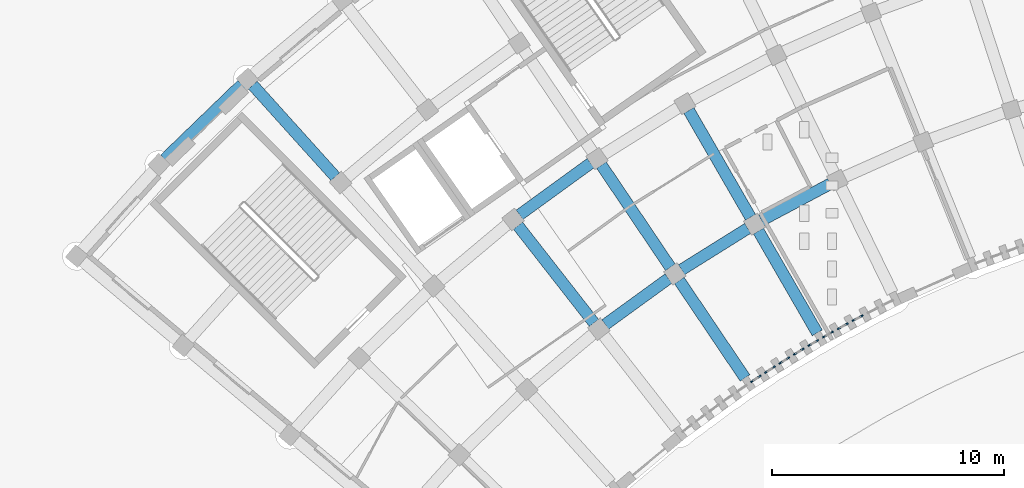
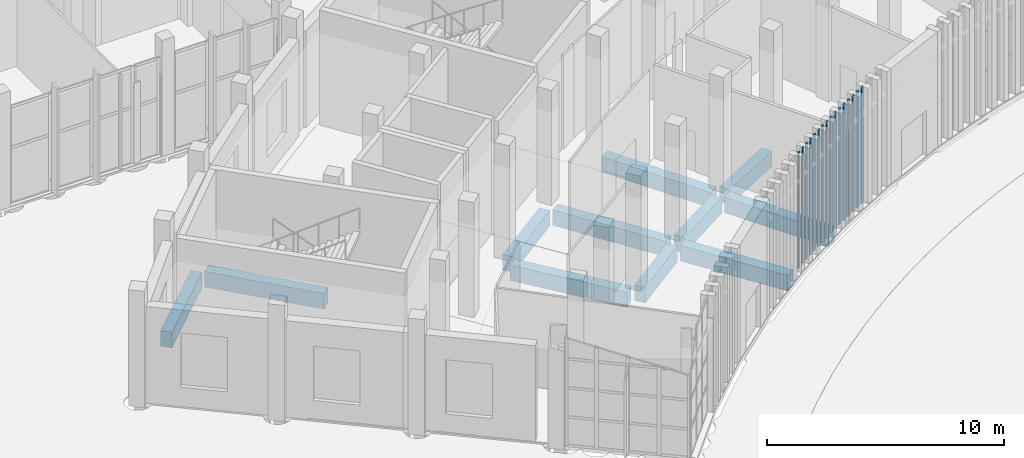
# One storey, part 25 of 155: 16 members, 11 beams, 8 elements without a shape of their own.
"""IFC4 building model written with IfcOpenShell, lengths in metres."""

from ifc_helpers import new_model, si_unit, direction, frame, origin, origin_2d, place, context, subcontext, project, spatial, rectangle, extrude, material, layer, layer_set, material_profile, profile_set, type_object, element, aggregate, save


model = new_model("IFC4")

# Units and contexts
model_context = context("Model", 3, precision=1e-05, world=origin(), true_north=direction((0.0, 1.0)))
body_context = subcontext(model_context, "Body", "Model", "MODEL_VIEW")
ifc_project = project(units=[si_unit("LENGTHUNIT", "METRE"), si_unit("AREAUNIT", "SQUARE_METRE"), si_unit("VOLUMEUNIT", "CUBIC_METRE"), si_unit("PLANEANGLEUNIT", "RADIAN"), si_unit("MASSUNIT", "GRAM", prefix="KILO")], contexts=[model_context])

# Site, building, storey
site_placement = place(None, origin())
site = spatial("IfcSite", under=ifc_project, at=site_placement, CompositionType="ELEMENT")
building_placement = place(site_placement, origin())
building = spatial("IfcBuilding", under=site, at=building_placement, Name="Lunette Opera House", CompositionType="ELEMENT")
storey_placement = place(building_placement, origin())
storey = spatial("IfcBuildingStorey", under=building, at=storey_placement, Name="L00", CompositionType="ELEMENT", Elevation=0.0)

# Curtain wall, members
ifc_material_1 = material(Name="Aluminium", Category="aluminium")
ifc_layer = layer(ifc_material_1, 0.1201171875)
ifc_layer_set = layer_set([ifc_layer], Name="Aluminium")
curtain_wall_type = type_object("IfcCurtainWallType", Name="SLOT CURTAIN WALL", PredefinedType="NOTDEFINED", material=ifc_layer_set)
curtain_wall_1_placement = place(storey_placement, origin())
curtain_wall_1 = element("IfcCurtainWall", 1, at=curtain_wall_1_placement, inside=storey, type_object=curtain_wall_type, Name="Slot Curtain Wall CS011 L00", PredefinedType="NOTDEFINED")
ifc_material_2 = material(Name="Aluminium", Category="aluminium")
ifc_material_profile_1 = material_profile(ifc_material_2, rectangle(XDim=0.06005859375, YDim=0.159912109375, at=origin_2d()), Name="MULLION 60 X 160")
ifc_profile_set_1 = profile_set([ifc_material_profile_1], Name="Aluminium")
member_type = type_object("IfcMemberType", Name="MULLION 60 X 160", PredefinedType="MULLION", material=ifc_profile_set_1)
member_1_placement = place(storey_placement, frame((66.904052734375, 43.45849609375, 0.0), z_axis=(0.0, 0.0, 1.0), x_axis=(-0.553626122068, 0.832765343277, 0.0)))
member_1 = element("IfcMember", 2, at=member_1_placement, type_object=member_type, Name="FC-X2021 mullion 1", PredefinedType="MULLION", context=body_context, shape_type="SweptSolid", body=[
    extrude(rectangle(XDim=0.06005859375, YDim=0.159912109375, at=origin_2d()), origin(), (0.0, 0.0, 1.0), 6.0),
])
member_2_placement = place(storey_placement, frame((67.2119140625, 43.663330078125, 0.0), z_axis=(0.0, 0.0, 1.0), x_axis=(-0.553626122068, 0.832765343277, 0.0)))
member_2 = element("IfcMember", 3, at=member_2_placement, type_object=member_type, Name="FC-X2021 mullion 2", PredefinedType="MULLION", context=body_context, shape_type="SweptSolid", body=[
    extrude(rectangle(XDim=0.06005859375, YDim=0.159912109375, at=origin_2d()), origin(), (0.0, 0.0, 1.0), 6.0),
])
aggregate(curtain_wall_1, [member_1, member_2])

curtain_wall_2_placement = place(storey_placement, origin())
curtain_wall_2 = element("IfcCurtainWall", 4, at=curtain_wall_2_placement, inside=storey, type_object=curtain_wall_type, Name="Slot Curtain Wall CS012 L00", PredefinedType="NOTDEFINED")
member_3_placement = place(storey_placement, frame((67.51318359375, 43.861328125, 0.0), z_axis=(0.0, 0.0, 1.0), x_axis=(-0.541227111143, 0.840876455946, 0.0)))
member_3 = element("IfcMember", 5, at=member_3_placement, type_object=member_type, Name="FC-X2023 mullion 1", PredefinedType="MULLION", context=body_context, shape_type="SweptSolid", body=[
    extrude(rectangle(XDim=0.06005859375, YDim=0.159912109375, at=origin_2d()), origin(), (0.0, 0.0, 1.0), 6.0),
])
member_4_placement = place(storey_placement, frame((67.82470703125, 44.061767578125, 0.0), z_axis=(0.0, 0.0, 1.0), x_axis=(-0.541227111143, 0.840876455946, 0.0)))
member_4 = element("IfcMember", 6, at=member_4_placement, type_object=member_type, Name="FC-X2023 mullion 2", PredefinedType="MULLION", context=body_context, shape_type="SweptSolid", body=[
    extrude(rectangle(XDim=0.06005859375, YDim=0.159912109375, at=origin_2d()), origin(), (0.0, 0.0, 1.0), 6.0),
])
aggregate(curtain_wall_2, [member_3, member_4])

curtain_wall_3_placement = place(storey_placement, origin())
curtain_wall_3 = element("IfcCurtainWall", 7, at=curtain_wall_3_placement, inside=storey, type_object=curtain_wall_type, Name="Slot Curtain Wall CS013 L00", PredefinedType="NOTDEFINED")
member_5_placement = place(storey_placement, frame((68.12841796875, 44.2548828125, 0.0), z_axis=(0.0, 0.0, 1.0), x_axis=(-0.52979005735, 0.848128819893, 0.0)))
member_5 = element("IfcMember", 8, at=member_5_placement, type_object=member_type, Name="FC-X2025 mullion 1", PredefinedType="MULLION", context=body_context, shape_type="SweptSolid", body=[
    extrude(rectangle(XDim=0.06005859375, YDim=0.159912109375, at=origin_2d()), origin(), (0.0, 0.0, 1.0), 6.0),
])
member_6_placement = place(storey_placement, frame((68.442626953125, 44.451171875, 0.0), z_axis=(0.0, 0.0, 1.0), x_axis=(-0.52979005735, 0.848128819893, 0.0)))
member_6 = element("IfcMember", 9, at=member_6_placement, type_object=member_type, Name="FC-X2025 mullion 2", PredefinedType="MULLION", context=body_context, shape_type="SweptSolid", body=[
    extrude(rectangle(XDim=0.06005859375, YDim=0.159912109375, at=origin_2d()), origin(), (0.0, 0.0, 1.0), 6.0),
])
aggregate(curtain_wall_3, [member_5, member_6])

curtain_wall_4_placement = place(storey_placement, origin())
curtain_wall_4 = element("IfcCurtainWall", 10, at=curtain_wall_4_placement, inside=storey, type_object=curtain_wall_type, Name="Slot Curtain Wall CS014 L00", PredefinedType="NOTDEFINED")
member_7_placement = place(storey_placement, frame((68.74853515625, 44.6396484375, 0.0), z_axis=(0.0, 0.0, 1.0), x_axis=(-0.518250209625, 0.855229045475, 0.0)))
member_7 = element("IfcMember", 11, at=member_7_placement, type_object=member_type, Name="FC-X2027 mullion 1", PredefinedType="MULLION", context=body_context, shape_type="SweptSolid", body=[
    extrude(rectangle(XDim=0.06005859375, YDim=0.159912109375, at=origin_2d()), origin(), (0.0, 0.0, 1.0), 6.0),
])
member_8_placement = place(storey_placement, frame((69.0654296875, 44.83154296875, 0.0), z_axis=(0.0, 0.0, 1.0), x_axis=(-0.518250209625, 0.855229045475, 0.0)))
member_8 = element("IfcMember", 12, at=member_8_placement, type_object=member_type, Name="FC-X2027 mullion 2", PredefinedType="MULLION", context=body_context, shape_type="SweptSolid", body=[
    extrude(rectangle(XDim=0.06005859375, YDim=0.159912109375, at=origin_2d()), origin(), (0.0, 0.0, 1.0), 6.0),
])
aggregate(curtain_wall_4, [member_7, member_8])

curtain_wall_5_placement = place(storey_placement, origin())
curtain_wall_5 = element("IfcCurtainWall", 13, at=curtain_wall_5_placement, inside=storey, type_object=curtain_wall_type, Name="Slot Curtain Wall CS015 L00", PredefinedType="NOTDEFINED")
member_9_placement = place(storey_placement, frame((69.374755859375, 45.01513671875, 0.0), z_axis=(0.0, 0.0, 1.0), x_axis=(-0.506613832884, 0.862173082583, 0.0)))
member_9 = element("IfcMember", 14, at=member_9_placement, type_object=member_type, Name="FC-X2029 mullion 1", PredefinedType="MULLION", context=body_context, shape_type="SweptSolid", body=[
    extrude(rectangle(XDim=0.06005859375, YDim=0.159912109375, at=origin_2d()), origin(), (0.0, 0.0, 1.0), 6.0),
])
member_10_placement = place(storey_placement, frame((69.694091796875, 45.202880859375, 0.0), z_axis=(0.0, 0.0, 1.0), x_axis=(-0.506613832884, 0.862173082583, 0.0)))
member_10 = element("IfcMember", 15, at=member_10_placement, type_object=member_type, Name="FC-X2029 mullion 2", PredefinedType="MULLION", context=body_context, shape_type="SweptSolid", body=[
    extrude(rectangle(XDim=0.06005859375, YDim=0.159912109375, at=origin_2d()), origin(), (0.0, 0.0, 1.0), 6.0),
])
aggregate(curtain_wall_5, [member_9, member_10])

curtain_wall_6_placement = place(storey_placement, origin())
curtain_wall_6 = element("IfcCurtainWall", 16, at=curtain_wall_6_placement, inside=storey, type_object=curtain_wall_type, Name="Slot Curtain Wall CS016 L00", PredefinedType="NOTDEFINED")
member_11_placement = place(storey_placement, frame((70.006103515625, 45.3828125, 0.0), z_axis=(0.0, 0.0, 1.0), x_axis=(-0.493129947711, 0.869955662474, 0.0)))
member_11 = element("IfcMember", 17, at=member_11_placement, type_object=member_type, Name="FC-X2031 mullion 1", PredefinedType="MULLION", context=body_context, shape_type="SweptSolid", body=[
    extrude(rectangle(XDim=0.06005859375, YDim=0.159912109375, at=origin_2d()), origin(), (0.0, 0.0, 1.0), 6.0),
])
member_12_placement = place(storey_placement, frame((70.327880859375, 45.565185546875, 0.0), z_axis=(0.0, 0.0, 1.0), x_axis=(-0.493129947711, 0.869955662474, 0.0)))
member_12 = element("IfcMember", 18, at=member_12_placement, type_object=member_type, Name="FC-X2031 mullion 2", PredefinedType="MULLION", context=body_context, shape_type="SweptSolid", body=[
    extrude(rectangle(XDim=0.06005859375, YDim=0.159912109375, at=origin_2d()), origin(), (0.0, 0.0, 1.0), 6.0),
])
aggregate(curtain_wall_6, [member_11, member_12])

curtain_wall_7_placement = place(storey_placement, origin())
curtain_wall_7 = element("IfcCurtainWall", 19, at=curtain_wall_7_placement, inside=storey, type_object=curtain_wall_type, Name="Slot Curtain Wall CS017 L00", PredefinedType="NOTDEFINED")
member_13_placement = place(storey_placement, frame((70.642333984375, 45.741455078125, 0.0), z_axis=(0.0, 0.0, 1.0), x_axis=(-0.481293842715, 0.876559317425, 0.0)))
member_13 = element("IfcMember", 20, at=member_13_placement, type_object=member_type, Name="FC-X2033 mullion 1", PredefinedType="MULLION", context=body_context, shape_type="SweptSolid", body=[
    extrude(rectangle(XDim=0.06005859375, YDim=0.159912109375, at=origin_2d()), origin(), (0.0, 0.0, 1.0), 6.0),
])
member_14_placement = place(storey_placement, frame((70.966796875, 45.919677734375, 0.0), z_axis=(0.0, 0.0, 1.0), x_axis=(-0.481293842715, 0.876559317425, 0.0)))
member_14 = element("IfcMember", 21, at=member_14_placement, type_object=member_type, Name="FC-X2033 mullion 2", PredefinedType="MULLION", context=body_context, shape_type="SweptSolid", body=[
    extrude(rectangle(XDim=0.06005859375, YDim=0.159912109375, at=origin_2d()), origin(), (0.0, 0.0, 1.0), 6.0),
])
aggregate(curtain_wall_7, [member_13, member_14])

curtain_wall_8_placement = place(storey_placement, origin())
curtain_wall_8 = element("IfcCurtainWall", 22, at=curtain_wall_8_placement, inside=storey, type_object=curtain_wall_type, Name="Slot Curtain Wall CS018 L00", PredefinedType="NOTDEFINED")
member_15_placement = place(storey_placement, frame((71.283447265625, 46.091064453125, 0.0), z_axis=(0.0, 0.0, 1.0), x_axis=(-0.469381737569, 0.882995347914, 0.0)))
member_15 = element("IfcMember", 23, at=member_15_placement, type_object=member_type, Name="FC-X2035 mullion 1", PredefinedType="MULLION", context=body_context, shape_type="SweptSolid", body=[
    extrude(rectangle(XDim=0.06005859375, YDim=0.159912109375, at=origin_2d()), origin(), (0.0, 0.0, 1.0), 6.0),
])
member_16_placement = place(storey_placement, frame((71.610595703125, 46.264892578125, 0.0), z_axis=(0.0, 0.0, 1.0), x_axis=(-0.469381737569, 0.882995347914, 0.0)))
member_16 = element("IfcMember", 24, at=member_16_placement, type_object=member_type, Name="FC-X2035 mullion 2", PredefinedType="MULLION", context=body_context, shape_type="SweptSolid", body=[
    extrude(rectangle(XDim=0.06005859375, YDim=0.159912109375, at=origin_2d()), origin(), (0.0, 0.0, 1.0), 6.0),
])
aggregate(curtain_wall_8, [member_15, member_16])

# Beams
ifc_material_3 = material(Name="Concrete C35/45", Category="concrete")
ifc_material_profile_2 = material_profile(ifc_material_3, rectangle(XDim=0.5, YDim=0.800048828125, at=origin_2d()), Name="RC BEAM 500X800")
ifc_profile_set_2 = profile_set([ifc_material_profile_2], Name="Concrete C35/45")
beam_type = type_object("IfcBeamType", Name="RC BEAM 500X800", PredefinedType="BEAM", material=ifc_profile_set_2)
beam_1_placement = place(storey_placement, frame((48.93310546875, 52.27294921875, -0.6201171875), z_axis=(-0.669096581874, 0.743175459851, 0.0), x_axis=(-0.743175459851, -0.669096581874, 0.0)))
element("IfcBeam", 25, at=beam_1_placement, inside=storey, type_object=beam_type, Name="beam-FC-L00-L00-RB-RL-03-4", PredefinedType="BEAM", context=body_context, shape_type="SweptSolid", body=[
    extrude(rectangle(XDim=0.5, YDim=0.800048828125, at=origin_2d()), origin(), (0.0, 0.0, 1.0), 5.3193359375),
])
beam_2_placement = place(storey_placement, frame((60.08203125, 45.972900390625, -0.6201171875), z_axis=(-0.615648494847, 0.788020894896, 0.0), x_axis=(-0.788020894896, -0.615648494847, 0.0)))
element("IfcBeam", 26, at=beam_2_placement, inside=storey, type_object=beam_type, Name="beam-FC-L00-L00-RB-RL-04-2", PredefinedType="BEAM", context=body_context, shape_type="SweptSolid", body=[
    extrude(rectangle(XDim=0.5, YDim=0.800048828125, at=origin_2d()), origin(), (0.0, 0.0, 1.0), 5.31982421875),
])
beam_3_placement = place(storey_placement, frame((66.592041015625, 43.59912109375, -0.6201171875), z_axis=(-0.559204020716, 0.82903007377, 0.0), x_axis=(-0.82903007377, -0.559204020716, 0.0)))
element("IfcBeam", 27, at=beam_3_placement, inside=storey, type_object=beam_type, Name="beam-FC-L00-L00-RB-RL-05-1", PredefinedType="BEAM", context=body_context, shape_type="SweptSolid", body=[
    extrude(rectangle(XDim=0.5, YDim=0.800048828125, at=origin_2d()), origin(), (0.0, 0.0, 1.0), 5.069580078125),
])
beam_4_placement = place(storey_placement, frame((63.376953125, 48.365966796875, -0.6201171875), z_axis=(-0.559129198637, 0.829080538447, 0.0), x_axis=(-0.829080538447, -0.559129198637, 0.0)))
element("IfcBeam", 28, at=beam_4_placement, inside=storey, type_object=beam_type, Name="beam-FC-L00-L00-RB-RL-05-2", PredefinedType="BEAM", context=body_context, shape_type="SweptSolid", body=[
    extrude(rectangle(XDim=0.5, YDim=0.800048828125, at=origin_2d()), origin(), (0.0, 0.0, 1.0), 5.320556640625),
])
beam_5_placement = place(storey_placement, frame((69.705078125, 45.5439453125, -0.6201171875), z_axis=(-0.499991985073, 0.866030031155, 0.0), x_axis=(-0.866030031155, -0.499991985073, 0.0)))
element("IfcBeam", 29, at=beam_5_placement, inside=storey, type_object=beam_type, Name="beam-FC-L00-L00-RB-RL-06-1", PredefinedType="BEAM", context=body_context, shape_type="SweptSolid", body=[
    extrude(rectangle(XDim=0.5, YDim=0.800048828125, at=origin_2d()), origin(), (0.0, 0.0, 1.0), 5.0703125),
])
beam_6_placement = place(storey_placement, frame((66.830078125, 50.52392578125, -0.6201171875), z_axis=(-0.500028328365, 0.866009047777, 0.0), x_axis=(-0.866009047777, -0.500028328365, 0.0)))
element("IfcBeam", 30, at=beam_6_placement, inside=storey, type_object=beam_type, Name="beam-FC-L00-L00-RB-RL-06-2", PredefinedType="BEAM", context=body_context, shape_type="SweptSolid", body=[
    extrude(rectangle(XDim=0.5, YDim=0.800048828125, at=origin_2d()), origin(), (0.0, 0.0, 1.0), 5.320068359375),
])
beam_7_placement = place(storey_placement, frame((60.56689453125, 45.905029296875, -0.6201171875), z_axis=(0.809143406589, 0.587611221449, 0.0), x_axis=(-0.587611221449, 0.809143406589, 0.0)))
element("IfcBeam", 31, at=beam_7_placement, inside=storey, type_object=beam_type, Name="beam-FC-L00-L00-RG-AR-M1-RL-04", PredefinedType="BEAM", context=body_context, shape_type="SweptSolid", body=[
    extrude(rectangle(XDim=0.5, YDim=0.800048828125, at=origin_2d()), origin(), (0.0, 0.0, 1.0), 3.367919921875),
])
beam_8_placement = place(storey_placement, frame((63.85595703125, 48.263916015625, -0.6201171875), z_axis=(0.847892378533, 0.530168383088, 0.0), x_axis=(-0.530168383088, 0.847892378533, 0.0)))
element("IfcBeam", 32, at=beam_8_placement, inside=storey, type_object=beam_type, Name="beam-FC-L00-L00-RG-AR-M1-RL-05", PredefinedType="BEAM", context=body_context, shape_type="SweptSolid", body=[
    extrude(rectangle(XDim=0.5, YDim=0.800048828125, at=origin_2d()), origin(), (0.0, 0.0, 1.0), 3.3671875),
])
beam_9_placement = place(storey_placement, frame((67.300048828125, 50.388916015625, -0.6201171875), z_axis=(0.882970205141, 0.469429032797, 0.0), x_axis=(-0.469429032797, 0.882970205141, 0.0)))
element("IfcBeam", 33, at=beam_9_placement, inside=storey, type_object=beam_type, Name="beam-FC-L00-L00-RG-AR-M1-RL-06", PredefinedType="BEAM", context=body_context, shape_type="SweptSolid", body=[
    extrude(rectangle(XDim=0.5, YDim=0.800048828125, at=origin_2d()), origin(), (0.0, 0.0, 1.0), 3.367919921875),
])
beam_10_placement = place(storey_placement, frame((56.873046875, 50.633056640625, -0.6201171875), z_axis=(0.809173599982, 0.58756964276, 0.0), x_axis=(-0.58756964276, 0.809173599982, 0.0)))
element("IfcBeam", 34, at=beam_10_placement, inside=storey, type_object=beam_type, Name="beam-FC-L00-L00-RG-AR-B-RL-04", PredefinedType="BEAM", context=body_context, shape_type="SweptSolid", body=[
    extrude(rectangle(XDim=0.5, YDim=0.800048828125, at=origin_2d()), origin(), (0.0, 0.0, 1.0), 3.78662109375),
])
beam_11_placement = place(storey_placement, frame((41.574951171875, 53.030029296875, -0.6201171875), z_axis=(0.719223136798, 0.694779158794, 0.0), x_axis=(-0.694779158794, 0.719223136798, 0.0)))
element("IfcBeam", 35, at=beam_11_placement, inside=storey, type_object=beam_type, Name="beam-FC-L00-L00-RG-AR-C-RL-02", PredefinedType="BEAM", context=body_context, shape_type="SweptSolid", body=[
    extrude(rectangle(XDim=0.5, YDim=0.800048828125, at=origin_2d()), origin(), (0.0, 0.0, 1.0), 4.624267578125),
])

save(model, "model.ifc")
